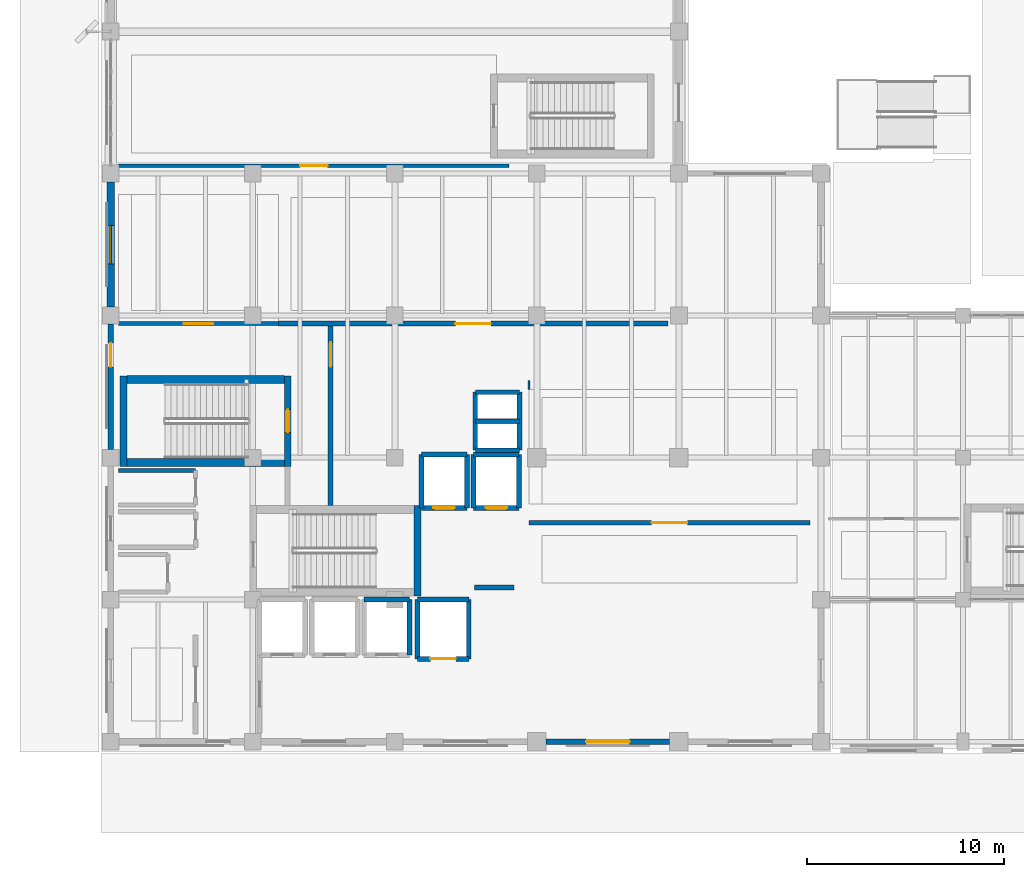
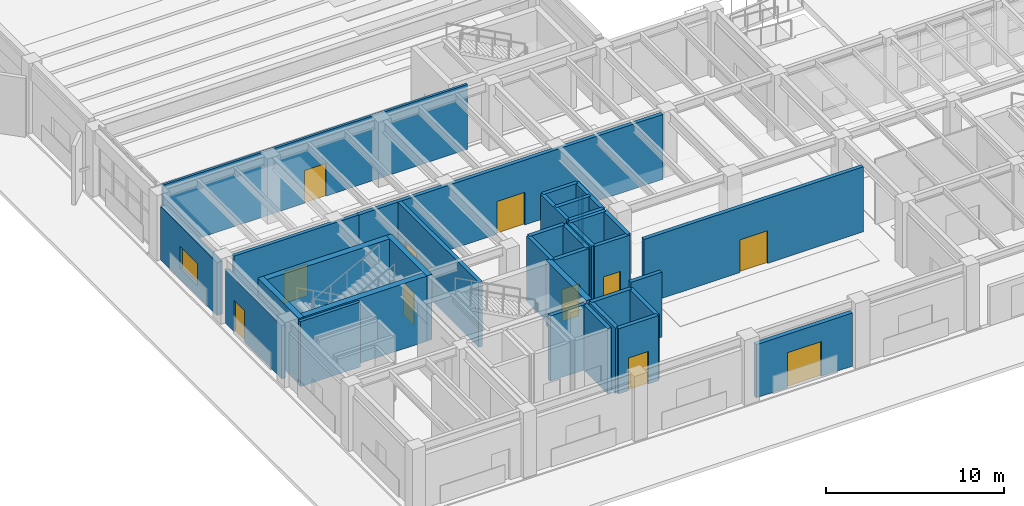
# One storey, part 24 of 39: 35 walls, 11 doors, 1 window, 12 openings.
"""IFC4 building model written with IfcOpenShell, lengths in metres."""

import ifcopenshell
import ifcopenshell.guid

model = None  # the IFC model being written
_history = None  # IfcOwnerHistory: only IFC2X3 demands one
_inside = {}  # id of a spatial element -> (the spatial element, [elements in it])
_under = {}  # id of a project, library or spatial element -> (it, [spatial elements below it])
_declared = {}  # id of a project -> (the project, [libraries it declares])
_typed = {}  # id of a type object -> (the type object, [elements of that type])
_made_of = {}  # id of a material, layer set ... -> (it, [elements and type objects made of it])


def new_model(schema):
    """Start an empty IFC model of exactly this schema.

    Asked for "IFC4X3", IfcOpenShell would pick the latest addendum, in which some entities
    have other attributes; the version numbers below select the first issue.
    IFC2X3 requires an IfcOwnerHistory on every rooted entity: one is made here for all.
    """
    global model, _history
    if schema == "IFC4X3":
        model = ifcopenshell.file(schema_version=(4, 3, 0, 0))
    else:
        model = ifcopenshell.file(schema=schema)
    _inside.clear()
    _under.clear()
    _declared.clear()
    _typed.clear()
    _made_of.clear()
    _history = None
    if model.schema == "IFC2X3":
        org = make("IfcOrganization", Name="unknown")
        user = make(
            "IfcPersonAndOrganization",
            ThePerson=make("IfcPerson", FamilyName="unknown"),
            TheOrganization=org,
        )
        app = make(
            "IfcApplication",
            ApplicationDeveloper=org,
            Version="unknown",
            ApplicationFullName="unknown",
            ApplicationIdentifier="unknown",
        )
        _history = make(
            "IfcOwnerHistory",
            OwningUser=user,
            OwningApplication=app,
            ChangeAction="ADDED",
            CreationDate=0,
        )
    return model


def make(cls, **values):
    """One entity of the class cls with the attributes given. An attribute that is None is left unset."""
    return model.create_entity(
        cls, **{name: value for name, value in values.items() if value is not None}
    )


def rooted(cls, **values):
    """An entity with a GlobalId (a new one), such as an element, a storey or a relation."""
    return make(cls, GlobalId=ifcopenshell.guid.new(), OwnerHistory=_history, **values)


def si_unit(unit_type, name, prefix=None):
    """IfcSIUnit, for example si_unit("LENGTHUNIT", "METRE", prefix="MILLI")."""
    return make("IfcSIUnit", UnitType=unit_type, Prefix=prefix, Name=name)


def assignment(units):
    """IfcUnitAssignment: the units of a project."""
    return None if units is None else make("IfcUnitAssignment", Units=units)


def point(xyz):
    """IfcCartesianPoint."""
    return None if xyz is None else make("IfcCartesianPoint", Coordinates=xyz)


def direction(xyz):
    """IfcDirection."""
    return None if xyz is None else make("IfcDirection", DirectionRatios=xyz)


def frame(location, z_axis=None, x_axis=None):
    """IfcAxis2Placement3D, a coordinate frame: its origin and axes. An axis left out is left unset."""
    return make(
        "IfcAxis2Placement3D",
        Location=point(location),
        Axis=direction(z_axis),
        RefDirection=direction(x_axis),
    )


def frame_2d(location, x_axis=None):
    """IfcAxis2Placement2D, a coordinate frame in the plane: its origin and x axis."""
    return make(
        "IfcAxis2Placement2D", Location=point(location), RefDirection=direction(x_axis)
    )


def origin():
    """The frame at (0, 0, 0) with its axes left unset."""
    return frame((0.0, 0.0, 0.0))


def place(relative_to, where):
    """IfcLocalPlacement: puts the frame where relative to a parent placement (None: the world)."""
    return make(
        "IfcLocalPlacement", PlacementRelTo=relative_to, RelativePlacement=where
    )


def context(
    kind, dimensions, precision=None, world=None, true_north=None, identifier=None
):
    """IfcGeometricRepresentationContext, for example the 3D "Model" context."""
    return make(
        "IfcGeometricRepresentationContext",
        ContextIdentifier=identifier,
        ContextType=kind,
        CoordinateSpaceDimension=dimensions,
        Precision=precision,
        WorldCoordinateSystem=world,
        TrueNorth=true_north,
    )


def subcontext(parent, identifier, kind, view, scale=None):
    """IfcGeometricRepresentationSubContext, for example "Body" below "Model"."""
    return make(
        "IfcGeometricRepresentationSubContext",
        ContextIdentifier=identifier,
        ContextType=kind,
        ParentContext=parent,
        TargetScale=scale,
        TargetView=view,
    )


def project(units=None, contexts=None):
    """IfcProject with its units and contexts."""
    return rooted(
        "IfcProject",
        Name="project",
        RepresentationContexts=contexts,
        UnitsInContext=assignment(units),
    )


def spatial(cls, under=None, at=None, **own):
    """A site, building, storey or space (cls), placed at a placement, below another one or the project."""
    s = rooted(cls, ObjectPlacement=at, **own)
    if under is not None:
        _under.setdefault(under.id(), (under, []))[1].append(s)
    return s


def profile(cls, at=None, kind="AREA", **sizes):
    """A parametric profile (cls). Its sizes go by their IFC names, for example OverallWidth=200.0."""
    return make(cls, ProfileType=kind, Position=at, **sizes)


def rectangle(**sizes):
    """IfcRectangleProfileDef."""
    return profile("IfcRectangleProfileDef", **sizes)


def extrude(swept, where, along, depth):
    """IfcExtrudedAreaSolid: the profile swept, set in the frame where, extruded along a direction by depth."""
    return make(
        "IfcExtrudedAreaSolid",
        SweptArea=swept,
        Position=where,
        ExtrudedDirection=direction(along),
        Depth=depth,
    )


def shape(context_of_items, identifier, shape_type, items):
    """IfcShapeRepresentation: the items that make up one representation, for example the "Body"."""
    return make(
        "IfcShapeRepresentation",
        ContextOfItems=context_of_items,
        RepresentationIdentifier=identifier,
        RepresentationType=shape_type,
        Items=items,
    )


def material(Name=None, Category=None):
    """IfcMaterial."""
    return make("IfcMaterial", Name=Name, Category=Category)


def layer(
    of_material, thickness, ventilated=None, Name=None, Category=None, Priority=None
):
    """IfcMaterialLayer: one layer of a wall or slab, of a material (None: an air gap)."""
    return make(
        "IfcMaterialLayer",
        Material=of_material,
        LayerThickness=thickness,
        IsVentilated=ventilated,
        Name=Name,
        Category=Category,
        Priority=Priority,
    )


def layer_set(layers, Name=None):
    """IfcMaterialLayerSet."""
    return make("IfcMaterialLayerSet", MaterialLayers=layers, LayerSetName=Name)


def made_of(thing, what):
    """Note that an element or type object is made of a material, layer set ...; save() writes the relation."""
    if what is not None:
        _made_of.setdefault(what.id(), (what, []))[1].append(thing)
    return thing


def type_object(cls, material=None, **own):
    """A type object (cls), such as IfcWallType, which elements share."""
    return made_of(rooted(cls, **own), material)


def element(
    cls,
    number,
    at=None,
    inside=None,
    cuts=None,
    type_object=None,
    material=None,
    context=None,
    identifier="Body",
    shape_type=None,
    held_by="IfcProductDefinitionShape",
    body=None,
    shapes=None,
    **own,
):
    """One element of the class cls, such as IfcWall. Its Tag is "e" and its number.

    at: its placement. inside: the storey or other place that contains it. cuts: it is an
    opening in that element (IfcRelVoidsElement). A single representation is given by context,
    identifier, shape_type and body (its items); several are given by shapes. held_by: the class
    of the entity that holds the representations. save() writes the other relations.
    """
    e = rooted(cls, Tag="e%d" % number, ObjectPlacement=at, **own)
    if body is not None:
        shapes = [shape(context, identifier, shape_type, body)]
    if shapes is not None:
        e.Representation = make(held_by, Representations=shapes)
    if inside is not None:
        _inside.setdefault(inside.id(), (inside, []))[1].append(e)
    if cuts is not None:
        rooted(
            "IfcRelVoidsElement", RelatingBuildingElement=cuts, RelatedOpeningElement=e
        )
    if type_object is not None:
        _typed.setdefault(type_object.id(), (type_object, []))[1].append(e)
    return made_of(e, material)


def fill(opening, filler):
    """IfcRelFillsElement: the door or window that sits in an opening."""
    return rooted(
        "IfcRelFillsElement",
        RelatingOpeningElement=opening,
        RelatedBuildingElement=filler,
    )


def aggregate(whole, parts):
    """IfcRelAggregates: a whole, such as a stair, and the parts it consists of."""
    return rooted("IfcRelAggregates", RelatingObject=whole, RelatedObjects=parts)


def save(model, path):
    """Write the relations noted so far, then the file.

    IfcRelAggregates (storeys below a building ...), IfcRelContainedInSpatialStructure (elements
    in a storey), IfcRelDefinesByType, IfcRelAssociatesMaterial and IfcRelDeclares: one each for
    every whole, place, type object, material and project.
    """
    for whole, parts in _under.values():
        aggregate(whole, parts)
    for where, things in _inside.values():
        rooted(
            "IfcRelContainedInSpatialStructure",
            RelatedElements=things,
            RelatingStructure=where,
        )
    for kind, things in _typed.values():
        rooted("IfcRelDefinesByType", RelatedObjects=things, RelatingType=kind)
    for what, things in _made_of.values():
        rooted("IfcRelAssociatesMaterial", RelatedObjects=things, RelatingMaterial=what)
    for by, libraries in _declared.values():
        rooted("IfcRelDeclares", RelatingContext=by, RelatedDefinitions=libraries)
    model.write(path)


model = new_model("IFC4")

# Units and contexts
model_context = context("Model", 3, precision=1e-05, world=origin(), true_north=direction((0.0, 1.0)))
body_context = subcontext(model_context, "Body", "Model", "MODEL_VIEW")
ifc_project = project(units=[si_unit("LENGTHUNIT", "METRE"), si_unit("AREAUNIT", "SQUARE_METRE"), si_unit("VOLUMEUNIT", "CUBIC_METRE"), si_unit("PLANEANGLEUNIT", "RADIAN"), si_unit("MASSUNIT", "GRAM", prefix="KILO")], contexts=[model_context])

# Site, building, storey
site_placement = place(None, origin())
site = spatial("IfcSite", under=ifc_project, at=site_placement, CompositionType="ELEMENT")
building_placement = place(site_placement, origin())
building = spatial("IfcBuilding", under=site, at=building_placement, Name="Kandorven Conservatory and Botanical Research Centre", CompositionType="ELEMENT")
storey_placement = place(building_placement, origin())
storey = spatial("IfcBuildingStorey", under=building, at=storey_placement, Name="L00", CompositionType="ELEMENT", Elevation=0.0)

# Walls
ifc_material_1 = material(Name="Concrete C40/50 (M50)", Category="concrete")
ifc_layer_1 = layer(ifc_material_1, 0.39990234375)
ifc_layer_set_1 = layer_set([ifc_layer_1], Name="Concrete C40/50 (M50)")
wall_type_1 = type_object("IfcWallType", Name="Wall_CW-RC-1", PredefinedType="SHEAR", material=ifc_layer_set_1)
for number, where, z_axis, x_axis, name in (
    (1, (14.800048828125, 24.35498046875, 0.0), (0.0, 0.0, 1.0), (-1.0, 0.0, 0.0), "Core stair shear wall CW-RC-1 ST-T2 L00 side A"),
    (2, (14.800048828125, 20.155029296875, 0.0), (0.0, 0.0, 1.0), (-1.0, 0.0, 0.0), "Core stair shear wall CW-RC-1 ST-T2 L00 side B"),
):
    element("IfcWall", number, at=place(storey_placement, frame(where, z_axis=z_axis, x_axis=x_axis)), inside=storey, type_object=wall_type_1, Name=name, PredefinedType="SHEAR", context=body_context, shape_type="SweptSolid", body=[
        extrude(rectangle(XDim=7.97998046875, YDim=0.39990234375, at=frame_2d((3.989990234375, 0.0))), origin(), (0.0, 0.0, 1.0), 4.47998046875),
    ])
ifc_material_2 = material(Name="Concrete C40/50 (M50)", Category="concrete")
ifc_layer_2 = layer(ifc_material_2, 0.35009765625)
ifc_layer_set_2 = layer_set([ifc_layer_2], Name="Concrete C40/50 (M50)")
wall_type_2 = type_object("IfcWallType", Name="Wall_CW-RC-2", PredefinedType="SHEAR", material=ifc_layer_set_2)
wall_1_placement = place(storey_placement, frame((21.554931640625, 13.3798828125, 0.0), z_axis=(0.0, 0.0, 1.0), x_axis=(0.0, 1.0, 0.0)))
element("IfcWall", 3, at=wall_1_placement, inside=storey, type_object=wall_type_2, Name="Core stair shear wall CW-RC-2 ST-T1 L00 far", PredefinedType="SHEAR", context=body_context, shape_type="SweptSolid", body=[
    extrude(rectangle(XDim=4.590087890625, YDim=0.35009765625, at=frame_2d((2.294921875, 0.0))), origin(), (0.0, 0.0, 1.0), 4.47998046875),
])

# Wall, opening, door
wall_2_placement = place(storey_placement, frame((14.97509765625, 24.550048828125, 0.0), z_axis=(0.0, 0.0, 1.0), x_axis=(0.0, -1.0, 0.0)))
wall_2 = element("IfcWall", 4, at=wall_2_placement, inside=storey, type_object=wall_type_2, Name="Core stair shear wall CW-RC-2 ST-T2 L00 entry", PredefinedType="SHEAR", context=body_context, shape_type="SweptSolid", body=[
    extrude(rectangle(XDim=4.590087890625, YDim=0.35009765625, at=frame_2d((2.294921875, 0.0))), origin(), (0.0, 0.0, 1.0), 4.47998046875),
])
opening_1_placement = place(wall_2_placement, frame((1.719970703125, 0.0, 0.0)))
opening_1 = element("IfcOpeningElement", 5, at=opening_1_placement, cuts=wall_2, Name="Opening FD-2", PredefinedType="OPENING", context=body_context, shape_type="SweptSolid", body=[
    extrude(rectangle(XDim=1.14990234375, YDim=2.199951171875, at=frame_2d((0.574951171875, 1.10009765625))), frame((0.0, 0.18505859375, 0.0), z_axis=(0.0, -1.0, 0.0), x_axis=(1.0, 0.0, 0.0)), (0.0, 0.0, 1.0), 0.3701171875),
])
ifc_material_3 = material(Name="Galvanised hollow steel fire door assembly", Category="steel")
door_type_1 = type_object("IfcDoorType", Name="Door_FD-2", OperationType="NOTDEFINED", PredefinedType="DOOR", material=ifc_material_3)
door_1_placement = place(opening_1_placement, origin())
door_1 = element("IfcDoor", 6, at=door_1_placement, inside=storey, type_object=door_type_1, Name="Exit stair fire door FD-2 ST-T2 L00", OperationType="SINGLE_SWING_LEFT", OverallHeight=2.199951171875, OverallWidth=1.14990234375, PredefinedType="DOOR", context=body_context, shape_type="SweptSolid", body=[
    extrude(rectangle(XDim=1.14990234375, YDim=2.199951171875, at=frame_2d((0.574951171875, 1.10009765625))), frame((0.0, 0.02490234375, 0.0), z_axis=(0.0, -1.0, 0.0), x_axis=(1.0, 0.0, 0.0)), (0.0, 0.0, 1.0), 0.050048828125),
])
fill(opening_1, door_1)

# Wall
wall_3_placement = place(storey_placement, frame((6.64501953125, 24.550048828125, 0.0), z_axis=(0.0, 0.0, 1.0), x_axis=(0.0, -1.0, 0.0)))
element("IfcWall", 7, at=wall_3_placement, inside=storey, type_object=wall_type_2, Name="Core stair shear wall CW-RC-2 ST-T2 L00 far", PredefinedType="SHEAR", context=body_context, shape_type="SweptSolid", body=[
    extrude(rectangle(XDim=4.590087890625, YDim=0.35009765625, at=frame_2d((2.294921875, 0.0))), origin(), (0.0, 0.0, 1.0), 4.47998046875),
])

# Wall, opening, door
wall_4_placement = place(storey_placement, frame((21.75, 17.85009765625, 0.0), z_axis=(0.0, 0.0, 1.0), x_axis=(1.0, 0.0, 0.0)))
wall_4 = element("IfcWall", 8, at=wall_4_placement, inside=storey, type_object=wall_type_2, Name="Lift shaft wall FFL-1 L00 S", PredefinedType="SHEAR", context=body_context, shape_type="SweptSolid", body=[
    extrude(rectangle(XDim=2.300048828125, YDim=0.25, at=frame_2d((1.14990234375, 0.0))), origin(), (0.0, 0.0, 1.0), 4.47998046875),
])
opening_2_placement = place(wall_4_placement, frame((0.60009765625, 0.0, 0.0)))
opening_2 = element("IfcOpeningElement", 9, at=opening_2_placement, cuts=wall_4, Name="Opening LD-01", PredefinedType="OPENING", context=body_context, shape_type="SweptSolid", body=[
    extrude(rectangle(XDim=1.10009765625, YDim=2.199951171875, at=frame_2d((0.550048828125, 1.10009765625))), frame((0.0, 0.135009765625, 0.0), z_axis=(0.0, -1.0, 0.0), x_axis=(1.0, 0.0, 0.0)), (0.0, 0.0, 1.0), 0.27001953125),
])
ifc_material_4 = material(Name="Anodised aluminium sliding landing door", Category="aluminium")
door_type_2 = type_object("IfcDoorType", Name="Door_LD-01", OperationType="DOUBLE_DOOR_SLIDING", PredefinedType="DOOR", material=ifc_material_4)
door_2_placement = place(opening_2_placement, origin())
door_2 = element("IfcDoor", 10, at=door_2_placement, inside=storey, type_object=door_type_2, Name="Lift landing sliding door LD-01 (FFL-1 L00)", OperationType="DOUBLE_DOOR_SLIDING", OverallHeight=2.199951171875, OverallWidth=1.10009765625, PredefinedType="DOOR", context=body_context, shape_type="SweptSolid", body=[
    extrude(rectangle(XDim=1.10009765625, YDim=2.199951171875, at=frame_2d((0.550048828125, 1.10009765625))), frame((0.0, 0.02490234375, 0.0), z_axis=(0.0, -1.0, 0.0), x_axis=(1.0, 0.0, 0.0)), (0.0, 0.0, 1.0), 0.050048828125),
])
fill(opening_2, door_2)

# Walls
wall_5_placement = place(storey_placement, frame((21.75, 20.550048828125, 0.0), z_axis=(0.0, 0.0, 1.0), x_axis=(1.0, 0.0, 0.0)))
element("IfcWall", 11, at=wall_5_placement, inside=storey, type_object=wall_type_2, Name="Lift shaft wall FFL-1 L00 N", PredefinedType="SHEAR", context=body_context, shape_type="SweptSolid", body=[
    extrude(rectangle(XDim=2.300048828125, YDim=0.25, at=frame_2d((1.14990234375, 0.0))), origin(), (0.0, 0.0, 1.0), 4.47998046875),
])
for number, where, z_axis, x_axis, name in (
    (12, (21.75, 17.85009765625, 0.0), (0.0, 0.0, 1.0), (0.0, 1.0, 0.0), "Lift shaft wall FFL-1 L00 W"),
    (13, (24.050048828125, 17.85009765625, 0.0), (0.0, 0.0, 1.0), (0.0, 1.0, 0.0), "Lift shaft wall FFL-1 L00 E"),
):
    element("IfcWall", number, at=place(storey_placement, frame(where, z_axis=z_axis, x_axis=x_axis)), inside=storey, type_object=wall_type_2, Name=name, PredefinedType="SHEAR", context=body_context, shape_type="SweptSolid", body=[
        extrude(rectangle(XDim=2.699951171875, YDim=0.25, at=frame_2d((1.35009765625, 0.0))), origin(), (0.0, 0.0, 1.0), 4.47998046875),
    ])

# Wall, opening, door
wall_6_placement = place(storey_placement, frame((24.39990234375, 17.85009765625, 0.0), z_axis=(0.0, 0.0, 1.0), x_axis=(1.0, 0.0, 0.0)))
wall_6 = element("IfcWall", 14, at=wall_6_placement, inside=storey, type_object=wall_type_2, Name="Lift shaft wall FFL-2 L00 S", PredefinedType="SHEAR", context=body_context, shape_type="SweptSolid", body=[
    extrude(rectangle(XDim=2.300048828125, YDim=0.25, at=frame_2d((1.14990234375, 0.0))), origin(), (0.0, 0.0, 1.0), 4.47998046875),
])
opening_3_placement = place(wall_6_placement, frame((0.60009765625, 0.0, 0.0)))
opening_3 = element("IfcOpeningElement", 15, at=opening_3_placement, cuts=wall_6, Name="Opening LD-01", PredefinedType="OPENING", context=body_context, shape_type="SweptSolid", body=[
    extrude(rectangle(XDim=1.10009765625, YDim=2.199951171875, at=frame_2d((0.550048828125, 1.10009765625))), frame((0.0, 0.135009765625, 0.0), z_axis=(0.0, -1.0, 0.0), x_axis=(1.0, 0.0, 0.0)), (0.0, 0.0, 1.0), 0.27001953125),
])
door_3_placement = place(opening_3_placement, origin())
door_3 = element("IfcDoor", 16, at=door_3_placement, inside=storey, type_object=door_type_2, Name="Lift landing sliding door LD-01 (FFL-2 L00)", OperationType="DOUBLE_DOOR_SLIDING", OverallHeight=2.199951171875, OverallWidth=1.10009765625, PredefinedType="DOOR", context=body_context, shape_type="SweptSolid", body=[
    extrude(rectangle(XDim=1.10009765625, YDim=2.199951171875, at=frame_2d((0.550048828125, 1.10009765625))), frame((0.0, 0.02490234375, 0.0), z_axis=(0.0, -1.0, 0.0), x_axis=(1.0, 0.0, 0.0)), (0.0, 0.0, 1.0), 0.050048828125),
])
fill(opening_3, door_3)

# Walls
wall_7_placement = place(storey_placement, frame((24.39990234375, 20.550048828125, 0.0), z_axis=(0.0, 0.0, 1.0), x_axis=(1.0, 0.0, 0.0)))
element("IfcWall", 17, at=wall_7_placement, inside=storey, type_object=wall_type_2, Name="Lift shaft wall FFL-2 L00 N", PredefinedType="SHEAR", context=body_context, shape_type="SweptSolid", body=[
    extrude(rectangle(XDim=2.300048828125, YDim=0.25, at=frame_2d((1.14990234375, 0.0))), origin(), (0.0, 0.0, 1.0), 4.47998046875),
])
for number, where, z_axis, x_axis, name in (
    (18, (24.39990234375, 17.85009765625, 0.0), (0.0, 0.0, 1.0), (0.0, 1.0, 0.0), "Lift shaft wall FFL-2 L00 W"),
    (19, (26.699951171875, 17.85009765625, 0.0), (0.0, 0.0, 1.0), (0.0, 1.0, 0.0), "Lift shaft wall FFL-2 L00 E"),
):
    element("IfcWall", number, at=place(storey_placement, frame(where, z_axis=z_axis, x_axis=x_axis)), inside=storey, type_object=wall_type_2, Name=name, PredefinedType="SHEAR", context=body_context, shape_type="SweptSolid", body=[
        extrude(rectangle(XDim=2.699951171875, YDim=0.25, at=frame_2d((1.35009765625, 0.0))), origin(), (0.0, 0.0, 1.0), 4.47998046875),
    ])
wall_8_placement = place(storey_placement, frame((18.85009765625, 13.199951171875, 0.0), z_axis=(0.0, 0.0, 1.0), x_axis=(1.0, 0.0, 0.0)))
element("IfcWall", 20, at=wall_8_placement, inside=storey, type_object=wall_type_2, Name="Lift shaft wall PL-3 L00 N", PredefinedType="SHEAR", context=body_context, shape_type="SweptSolid", body=[
    extrude(rectangle(XDim=2.2998046875, YDim=0.25, at=frame_2d((1.14990234375, 0.0))), origin(), (0.0, 0.0, 1.0), 4.47998046875),
])
wall_9_placement = place(storey_placement, frame((21.14990234375, 10.39990234375, 0.0), z_axis=(0.0, 0.0, 1.0), x_axis=(0.0, 1.0, 0.0)))
element("IfcWall", 21, at=wall_9_placement, inside=storey, type_object=wall_type_2, Name="Lift shaft wall PL-3 L00 E", PredefinedType="SHEAR", context=body_context, shape_type="SweptSolid", body=[
    extrude(rectangle(XDim=2.800048828125, YDim=0.25, at=frame_2d((1.39990234375, 0.0))), origin(), (0.0, 0.0, 1.0), 4.47998046875),
])

# Wall, opening, door
wall_10_placement = place(storey_placement, frame((21.550048828125, 10.199951171875, 0.0), z_axis=(0.0, 0.0, 1.0), x_axis=(1.0, 0.0, 0.0)))
wall_10 = element("IfcWall", 22, at=wall_10_placement, inside=storey, type_object=wall_type_2, Name="Lift shaft wall GL-1 L00 S", PredefinedType="SHEAR", context=body_context, shape_type="SweptSolid", body=[
    extrude(rectangle(XDim=2.599853515625, YDim=0.25, at=frame_2d((1.2998046875, 0.0))), origin(), (0.0, 0.0, 1.0), 4.47998046875),
])
opening_4_placement = place(wall_10_placement, frame((0.64990234375, 0.0, 0.0)))
opening_4 = element("IfcOpeningElement", 23, at=opening_4_placement, cuts=wall_10, Name="Opening LD-02", PredefinedType="OPENING", context=body_context, shape_type="SweptSolid", body=[
    extrude(rectangle(XDim=1.300048828125, YDim=2.25, at=frame_2d((0.64990234375, 1.125))), frame((0.0, 0.135009765625, 0.0), z_axis=(0.0, -1.0, 0.0), x_axis=(1.0, 0.0, 0.0)), (0.0, 0.0, 1.0), 0.27001953125),
])
ifc_material_5 = material(Name="Anodised aluminium sliding landing door", Category="aluminium")
door_type_3 = type_object("IfcDoorType", Name="Door_LD-02", OperationType="DOUBLE_DOOR_SLIDING", PredefinedType="DOOR", material=ifc_material_5)
door_4_placement = place(opening_4_placement, origin())
door_4 = element("IfcDoor", 24, at=door_4_placement, inside=storey, type_object=door_type_3, Name="Lift landing sliding door LD-02 (GL-1 L00)", OperationType="DOUBLE_DOOR_SLIDING", OverallHeight=2.25, OverallWidth=1.300048828125, PredefinedType="DOOR", context=body_context, shape_type="SweptSolid", body=[
    extrude(rectangle(XDim=1.300048828125, YDim=2.25, at=frame_2d((0.64990234375, 1.125))), frame((0.0, 0.02490234375, 0.0), z_axis=(0.0, -1.0, 0.0), x_axis=(1.0, 0.0, 0.0)), (0.0, 0.0, 1.0), 0.050048828125),
])
fill(opening_4, door_4)

# Walls
wall_11_placement = place(storey_placement, frame((21.550048828125, 13.199951171875, 0.0), z_axis=(0.0, 0.0, 1.0), x_axis=(1.0, 0.0, 0.0)))
element("IfcWall", 25, at=wall_11_placement, inside=storey, type_object=wall_type_2, Name="Lift shaft wall GL-1 L00 N", PredefinedType="SHEAR", context=body_context, shape_type="SweptSolid", body=[
    extrude(rectangle(XDim=2.599853515625, YDim=0.25, at=frame_2d((1.2998046875, 0.0))), origin(), (0.0, 0.0, 1.0), 4.47998046875),
])
for number, where, z_axis, x_axis, name in (
    (26, (21.550048828125, 10.199951171875, 0.0), (0.0, 0.0, 1.0), (0.0, 1.0, 0.0), "Lift shaft wall GL-1 L00 W"),
    (27, (24.14990234375, 10.199951171875, 0.0), (0.0, 0.0, 1.0), (0.0, 1.0, 0.0), "Lift shaft wall GL-1 L00 E"),
):
    element("IfcWall", number, at=place(storey_placement, frame(where, z_axis=z_axis, x_axis=x_axis)), inside=storey, type_object=wall_type_2, Name=name, PredefinedType="SHEAR", context=body_context, shape_type="SweptSolid", body=[
        extrude(rectangle(XDim=3.0, YDim=0.25, at=frame_2d((1.5, 0.0))), origin(), (0.0, 0.0, 1.0), 4.47998046875),
    ])
for number, where, z_axis, x_axis, name in (
    (28, (24.47998046875, 20.780029296875, 0.0), (0.0, 0.0, 1.0), (1.0, 0.0, 0.0), "Core MEP riser shaft wall CW-RC-2 L00 S"),
    (29, (24.47998046875, 22.25, 0.0), (0.0, 0.0, 1.0), (1.0, 0.0, 0.0), "Core MEP riser shaft wall CW-RC-2 L00 M"),
    (30, (24.47998046875, 23.719970703125, 0.0), (0.0, 0.0, 1.0), (1.0, 0.0, 0.0), "Core MEP riser shaft wall CW-RC-2 L00 N"),
):
    element("IfcWall", number, at=place(storey_placement, frame(where, z_axis=z_axis, x_axis=x_axis)), inside=storey, type_object=wall_type_2, Name=name, PredefinedType="SHEAR", context=body_context, shape_type="SweptSolid", body=[
        extrude(rectangle(XDim=2.239990234375, YDim=0.239990234375, at=frame_2d((1.1201171875, 0.0))), origin(), (0.0, 0.0, 1.0), 4.47998046875),
    ])
for number, where, z_axis, x_axis, name in (
    (31, (24.47998046875, 20.780029296875, 0.0), (0.0, 0.0, 1.0), (0.0, 1.0, 0.0), "Core MEP riser shaft wall CW-RC-2 L00 W"),
    (32, (26.719970703125, 20.780029296875, 0.0), (0.0, 0.0, 1.0), (0.0, 1.0, 0.0), "Core MEP riser shaft wall CW-RC-2 L00 E"),
):
    element("IfcWall", number, at=place(storey_placement, frame(where, z_axis=z_axis, x_axis=x_axis)), inside=storey, type_object=wall_type_2, Name=name, PredefinedType="SHEAR", context=body_context, shape_type="SweptSolid", body=[
        extrude(rectangle(XDim=2.93994140625, YDim=0.239990234375, at=frame_2d((1.469970703125, 0.0))), origin(), (0.0, 0.0, 1.0), 4.47998046875),
    ])

# Wall, opening, window
ifc_material_6 = material(Name="Concrete C40/50 (M50)", Category="concrete")
ifc_layer_3 = layer(ifc_material_6, 0.360107421875)
ifc_layer_set_3 = layer_set([ifc_layer_3], Name="Concrete C40/50 (M50)")
wall_type_3 = type_object("IfcWallType", Name="Wall_EW-01", PredefinedType="STANDARD", material=ifc_layer_set_3)
wall_12_placement = place(storey_placement, frame((6.0, 28.02490234375, 0.0), z_axis=(0.0, 0.0, 1.0), x_axis=(0.0, 1.0, 0.0)))
wall_12 = element("IfcWall", 33, at=wall_12_placement, inside=storey, type_object=wall_type_3, Name="Tower concrete facade wall EW-01 W L00", PredefinedType="STANDARD", context=body_context, shape_type="SweptSolid", body=[
    extrude(rectangle(XDim=6.35009765625, YDim=0.360107421875, at=frame_2d((3.175048828125, 0.0))), origin(), (0.0, 0.0, 1.0), 3.659912109375),
])
opening_5_placement = place(wall_12_placement, frame((2.199951171875, 0.0, 0.75)))
opening_5 = element("IfcOpeningElement", 34, at=opening_5_placement, cuts=wall_12, Name="Opening W-42", PredefinedType="OPENING", context=body_context, shape_type="SweptSolid", body=[
    extrude(rectangle(XDim=1.949951171875, YDim=1.5, at=frame_2d((0.97509765625, 0.75))), frame((0.0, 0.18994140625, 0.0), z_axis=(0.0, -1.0, 0.0), x_axis=(1.0, 0.0, 0.0)), (0.0, 0.0, 1.0), 0.380126953125),
])
ifc_material_7 = material(Name="Double-glazed solar-control low-E glass", Category="glass")
window_type = type_object("IfcWindowType", Name="Win_W-42", PartitioningType="DOUBLE_PANEL_VERTICAL", PredefinedType="WINDOW", material=ifc_material_7)
window_placement = place(opening_5_placement, origin())
window = element("IfcWindow", 35, at=window_placement, inside=storey, type_object=window_type, Name="Tower recessed solar window W-42", OverallHeight=1.5, OverallWidth=1.949951171875, PartitioningType="SINGLE_PANEL", PredefinedType="WINDOW", context=body_context, shape_type="SweptSolid", body=[
    extrude(rectangle(XDim=1.949951171875, YDim=1.5, at=frame_2d((0.97509765625, 0.75))), frame((0.0, 0.030029296875, 0.0), z_axis=(0.0, -1.0, 0.0), x_axis=(1.0, 0.0, 0.0)), (0.0, 0.0, 1.0), 0.06005859375),
])
fill(opening_5, window)

# Wall, opening, door
ifc_material_8 = material(Name="Concrete C32/40 (M40)", Category="concrete")
ifc_layer_4 = layer(ifc_material_8, 0.280029296875)
ifc_layer_set_4 = layer_set([ifc_layer_4], Name="Concrete C32/40 (M40)")
wall_type_4 = type_object("IfcWallType", Name="Wall_EW-05", PredefinedType="STANDARD", material=ifc_layer_set_4)
wall_13_placement = place(storey_placement, frame((28.074951171875, 6.0, 0.0), z_axis=(0.0, 0.0, 1.0), x_axis=(1.0, 0.0, 0.0)))
wall_13 = element("IfcWall", 36, at=wall_13_placement, inside=storey, type_object=wall_type_4, Name="Tower concrete facade wall EW-05 S L00", PredefinedType="STANDARD", context=body_context, shape_type="SweptSolid", body=[
    extrude(rectangle(XDim=6.25, YDim=0.280029296875, at=frame_2d((3.125, 0.0))), origin(), (0.0, 0.0, 1.0), 3.659912109375),
])
opening_6_placement = place(wall_13_placement, frame((2.02490234375, 0.0, 0.0)))
opening_6 = element("IfcOpeningElement", 37, at=opening_6_placement, cuts=wall_13, Name="Opening ED-01", PredefinedType="OPENING", context=body_context, shape_type="SweptSolid", body=[
    extrude(rectangle(XDim=2.199951171875, YDim=2.39990234375, at=frame_2d((1.10009765625, 1.199951171875))), frame((0.0, 0.14990234375, 0.0), z_axis=(0.0, -1.0, 0.0), x_axis=(1.0, 0.0, 0.0)), (0.0, 0.0, 1.0), 0.300048828125),
])
ifc_material_9 = material(Name="Bronze anodised thermally broken aluminium", Category="aluminium")
door_type_4 = type_object("IfcDoorType", Name="Door_ED-01", OperationType="NOTDEFINED", PredefinedType="DOOR", material=ifc_material_9)
door_5_placement = place(opening_6_placement, frame((2.199951171875, 0.0, 0.0), z_axis=(0.0, 0.0, 1.0), x_axis=(-1.0, 0.0, 0.0)))
door_5 = element("IfcDoor", 38, at=door_5_placement, inside=storey, type_object=door_type_4, Name="Tower boulevard final exit door ED-01", OperationType="DOUBLE_DOOR_SINGLE_SWING", OverallHeight=2.39990234375, OverallWidth=2.199951171875, PredefinedType="DOOR", context=body_context, shape_type="SweptSolid", body=[
    extrude(rectangle(XDim=2.199951171875, YDim=2.39990234375, at=frame_2d((1.10009765625, 1.199951171875))), frame((0.0, 0.02490234375, 0.0), z_axis=(0.0, -1.0, 0.0), x_axis=(1.0, 0.0, 0.0)), (0.0, 0.0, 1.0), 0.050048828125),
])
fill(opening_6, door_5)

ifc_material_10 = material(Name="Concrete C32/40 (M40)", Category="concrete")
ifc_layer_5 = layer(ifc_material_10, 0.260009765625)
ifc_layer_set_5 = layer_set([ifc_layer_5], Name="Concrete C32/40 (M40)")
wall_type_5 = type_object("IfcWallType", Name="Wall_EW-06", PredefinedType="STANDARD", material=ifc_layer_set_5)
wall_14_placement = place(storey_placement, frame((6.0, 20.824951171875, 0.0), z_axis=(0.0, 0.0, 1.0), x_axis=(0.0, 1.0, 0.0)))
wall_14 = element("IfcWall", 39, at=wall_14_placement, inside=storey, type_object=wall_type_5, Name="Tower concrete facade wall EW-06 W L00", PredefinedType="STANDARD", context=body_context, shape_type="SweptSolid", body=[
    extrude(rectangle(XDim=6.35009765625, YDim=0.260009765625, at=frame_2d((3.175048828125, 0.0))), origin(), (0.0, 0.0, 1.0), 3.659912109375),
])
opening_7_placement = place(wall_14_placement, frame((4.175048828125, 0.0, 0.0)))
opening_7 = element("IfcOpeningElement", 40, at=opening_7_placement, cuts=wall_14, Name="Opening ED-08", PredefinedType="OPENING", context=body_context, shape_type="SweptSolid", body=[
    extrude(rectangle(XDim=1.199951171875, YDim=2.14990234375, at=frame_2d((0.60009765625, 1.074951171875))), frame((0.0, 0.139892578125, 0.0), z_axis=(0.0, -1.0, 0.0), x_axis=(1.0, 0.0, 0.0)), (0.0, 0.0, 1.0), 0.280029296875),
])
ifc_material_11 = material(Name="Bronze anodised thermally broken aluminium", Category="aluminium")
door_type_5 = type_object("IfcDoorType", Name="Door_ED-08", OperationType="NOTDEFINED", PredefinedType="DOOR", material=ifc_material_11)
door_6_placement = place(opening_7_placement, origin())
door_6 = element("IfcDoor", 41, at=door_6_placement, inside=storey, type_object=door_type_5, Name="Final exit door ED-08 from Protected Exit Passage ST-T2", OperationType="SINGLE_SWING_RIGHT", OverallHeight=2.14990234375, OverallWidth=1.199951171875, PredefinedType="DOOR", context=body_context, shape_type="SweptSolid", body=[
    extrude(rectangle(XDim=1.199951171875, YDim=2.14990234375, at=frame_2d((0.60009765625, 1.074951171875))), frame((0.0, 0.02490234375, 0.0), z_axis=(0.0, -1.0, 0.0), x_axis=(1.0, 0.0, 0.0)), (0.0, 0.0, 1.0), 0.050048828125),
])
fill(opening_7, door_6)

# Wall
ifc_material_12 = material(Name="Fire-rated acoustic gypsum board partition", Category="gypsum")
ifc_layer_6 = layer(ifc_material_12, 0.1201171875)
ifc_layer_set_6 = layer_set([ifc_layer_6], Name="Fire-rated acoustic gypsum board partition")
wall_type_6 = type_object("IfcWallType", Name="Wall_IW-08", PredefinedType="PARTITIONING", material=ifc_layer_set_6)
wall_15_placement = place(storey_placement, frame((27.199951171875, 24.300048828125, 0.0), z_axis=(0.0, 0.0, 1.0), x_axis=(0.0, -1.0, 0.0)))
element("IfcWall", 42, at=wall_15_placement, inside=storey, type_object=wall_type_6, Name="Interior partition wall IW-08 (Botanical Taxonomy Reception and Specimen Intake)", PredefinedType="PARTITIONING", context=body_context, shape_type="SweptSolid", body=[
    extrude(rectangle(XDim=0.449951171875, YDim=0.1201171875, at=frame_2d((0.22509765625, 0.0))), origin(), (0.0, 0.0, 1.0), 3.4599609375),
])

# Wall, opening, door
ifc_material_13 = material(Name="Autoclaved aerated concrete blockwork masonry", Category="masonry")
ifc_layer_7 = layer(ifc_material_13, 0.157958984375)
ifc_layer_set_7 = layer_set([ifc_layer_7], Name="Autoclaved aerated concrete blockwork masonry")
wall_type_7 = type_object("IfcWallType", Name="Wall_IW-16", PredefinedType="PARTITIONING", material=ifc_layer_set_7)
wall_16_placement = place(storey_placement, frame((6.39990234375, 35.199951171875, 0.0), z_axis=(0.0, 0.0, 1.0), x_axis=(1.0, 0.0, 0.0)))
wall_16 = element("IfcWall", 43, at=wall_16_placement, inside=storey, type_object=wall_type_7, Name="Interior partition wall IW-16 (Auditorium Acoustic Foyer)", PredefinedType="PARTITIONING", context=body_context, shape_type="SweptSolid", body=[
    extrude(rectangle(XDim=19.800048828125, YDim=0.157958984375, at=frame_2d((9.89990234375, 0.0))), origin(), (0.0, 0.0, 1.0), 4.4599609375),
])
opening_8_placement = place(wall_16_placement, frame((9.199951171875, 0.0, 0.0)))
opening_8 = element("IfcOpeningElement", 44, at=opening_8_placement, cuts=wall_16, Name="Opening D-07", PredefinedType="OPENING", context=body_context, shape_type="SweptSolid", body=[
    extrude(rectangle(XDim=1.39990234375, YDim=2.25, at=frame_2d((0.699951171875, 1.125))), frame((0.0, 0.0888671875, 0.0), z_axis=(0.0, -1.0, 0.0), x_axis=(1.0, 0.0, 0.0)), (0.0, 0.0, 1.0), 0.177978515625),
])
ifc_material_14 = material(Name="Solid core acoustic teak-veneered timber leaf", Category="wood")
door_type_6 = type_object("IfcDoorType", Name="Door_D-07", OperationType="NOTDEFINED", PredefinedType="DOOR", material=ifc_material_14)
door_7_placement = place(opening_8_placement, origin())
door_7 = element("IfcDoor", 45, at=door_7_placement, inside=storey, type_object=door_type_6, Name="Interior door D-07 to Auditorium Acoustic Foyer", OperationType="SINGLE_SWING_LEFT", OverallHeight=2.25, OverallWidth=1.39990234375, PredefinedType="DOOR", context=body_context, shape_type="SweptSolid", body=[
    extrude(rectangle(XDim=1.39990234375, YDim=2.25, at=frame_2d((0.699951171875, 1.125))), frame((0.0, 0.02490234375, 0.0), z_axis=(0.0, -1.0, 0.0), x_axis=(1.0, 0.0, 0.0)), (0.0, 0.0, 1.0), 0.050048828125),
])
fill(opening_8, door_7)

# Wall
ifc_material_15 = material(Name="Concrete C32/40 (M40)", Category="concrete")
ifc_layer_8 = layer(ifc_material_15, 0.25)
ifc_layer_set_8 = layer_set([ifc_layer_8], Name="Concrete C32/40 (M40)")
wall_type_8 = type_object("IfcWallType", Name="Wall_IW-FR-1", PredefinedType="SOLIDWALL", material=ifc_layer_set_8)
wall_17_placement = place(storey_placement, frame((24.449951171875, 13.820068359375, 0.0), z_axis=(0.0, 0.0, 1.0), x_axis=(1.0, 0.0, 0.0)))
element("IfcWall", 46, at=wall_17_placement, inside=storey, type_object=wall_type_8, Name="Interior fire partition wall IW-FR-1 (Firefighting Lift Lobby L00)", PredefinedType="SOLIDWALL", context=body_context, shape_type="SweptSolid", body=[
    extrude(rectangle(XDim=2.0, YDim=0.25, at=frame_2d((1.0, 0.0))), origin(), (0.0, 0.0, 1.0), 4.4599609375),
])

# Wall, opening, door
wall_18_placement = place(storey_placement, frame((14.5, 27.199951171875, 0.0), z_axis=(0.0, 0.0, 1.0), x_axis=(1.0, 0.0, 0.0)))
wall_18 = element("IfcWall", 47, at=wall_18_placement, inside=storey, type_object=wall_type_8, Name="Interior fire partition wall IW-FR-1 (Herbarium Goods Receiving and Loading Bay)", PredefinedType="SOLIDWALL", context=body_context, shape_type="SweptSolid", body=[
    extrude(rectangle(XDim=19.75, YDim=0.25, at=frame_2d((9.875, 0.0))), origin(), (0.0, 0.0, 1.0), 4.4599609375),
])
opening_9_placement = place(wall_18_placement, frame((8.97509765625, 0.0, 0.0)))
opening_9 = element("IfcOpeningElement", 48, at=opening_9_placement, cuts=wall_18, Name="Opening FD-4", PredefinedType="OPENING", context=body_context, shape_type="SweptSolid", body=[
    extrude(rectangle(XDim=1.800048828125, YDim=2.25, at=frame_2d((0.89990234375, 1.125))), frame((0.0, 0.135009765625, 0.0), z_axis=(0.0, -1.0, 0.0), x_axis=(1.0, 0.0, 0.0)), (0.0, 0.0, 1.0), 0.27001953125),
])
ifc_material_16 = material(Name="Galvanised hollow steel fire door assembly", Category="steel")
door_type_7 = type_object("IfcDoorType", Name="Door_FD-4", OperationType="NOTDEFINED", PredefinedType="DOOR", material=ifc_material_16)
door_8_placement = place(opening_9_placement, frame((1.800048828125, 0.0, 0.0), z_axis=(0.0, 0.0, 1.0), x_axis=(-1.0, 0.0, 0.0)))
door_8 = element("IfcDoor", 49, at=door_8_placement, inside=storey, type_object=door_type_7, Name="Interior door FD-4 to Herbarium Goods Receiving and Loading Bay", OperationType="DOUBLE_DOOR_SINGLE_SWING", OverallHeight=2.25, OverallWidth=1.800048828125, PredefinedType="DOOR", context=body_context, shape_type="SweptSolid", body=[
    extrude(rectangle(XDim=1.800048828125, YDim=2.25, at=frame_2d((0.89990234375, 1.125))), frame((0.0, 0.02490234375, 0.0), z_axis=(0.0, -1.0, 0.0), x_axis=(1.0, 0.0, 0.0)), (0.0, 0.0, 1.0), 0.050048828125),
])
fill(opening_9, door_8)

wall_19_placement = place(storey_placement, frame((27.199951171875, 17.10009765625, 0.0), z_axis=(0.0, 0.0, 1.0), x_axis=(1.0, 0.0, 0.0)))
wall_19 = element("IfcWall", 50, at=wall_19_placement, inside=storey, type_object=wall_type_8, Name="Interior fire partition wall IW-FR-1 (Herbarium Mounting and Drying Room)", PredefinedType="SOLIDWALL", context=body_context, shape_type="SweptSolid", body=[
    extrude(rectangle(XDim=14.25, YDim=0.25, at=frame_2d((7.125, 0.0))), origin(), (0.0, 0.0, 1.0), 4.4599609375),
])
opening_10_placement = place(wall_19_placement, frame((6.22509765625, 0.0, 0.0)))
opening_10 = element("IfcOpeningElement", 51, at=opening_10_placement, cuts=wall_19, Name="Opening FD-4", PredefinedType="OPENING", context=body_context, shape_type="SweptSolid", body=[
    extrude(rectangle(XDim=1.800048828125, YDim=2.25, at=frame_2d((0.89990234375, 1.125))), frame((0.0, 0.135009765625, 0.0), z_axis=(0.0, -1.0, 0.0), x_axis=(1.0, 0.0, 0.0)), (0.0, 0.0, 1.0), 0.27001953125),
])
door_9_placement = place(opening_10_placement, frame((1.800048828125, 0.0, 0.0), z_axis=(0.0, 0.0, 1.0), x_axis=(-1.0, 0.0, 0.0)))
door_9 = element("IfcDoor", 52, at=door_9_placement, inside=storey, type_object=door_type_7, Name="Interior door FD-4 to Herbarium Mounting and Drying Room", OperationType="DOUBLE_DOOR_SINGLE_SWING", OverallHeight=2.25, OverallWidth=1.800048828125, PredefinedType="DOOR", context=body_context, shape_type="SweptSolid", body=[
    extrude(rectangle(XDim=1.800048828125, YDim=2.25, at=frame_2d((0.89990234375, 1.125))), frame((0.0, 0.02490234375, 0.0), z_axis=(0.0, -1.0, 0.0), x_axis=(1.0, 0.0, 0.0)), (0.0, 0.0, 1.0), 0.050048828125),
])
fill(opening_10, door_9)

wall_20_placement = place(storey_placement, frame((17.14990234375, 17.969970703125, 0.0), z_axis=(0.0, 0.0, 1.0), x_axis=(0.0, 1.0, 0.0)))
wall_20 = element("IfcWall", 53, at=wall_20_placement, inside=storey, type_object=wall_type_8, Name="Protected exit passage ST-T2 fire wall IW-FR-1 E", PredefinedType="SOLIDWALL", context=body_context, shape_type="SweptSolid", body=[
    extrude(rectangle(XDim=9.10498046875, YDim=0.25, at=frame_2d((4.552490234375, 0.0))), origin(), (0.0, 0.0, 1.0), 4.4599609375),
])
opening_11_placement = place(wall_20_placement, frame((7.030029296875, 0.0, 0.0)))
opening_11 = element("IfcOpeningElement", 54, at=opening_11_placement, cuts=wall_20, Name="Opening FD-1", PredefinedType="OPENING", context=body_context, shape_type="SweptSolid", body=[
    extrude(rectangle(XDim=1.25, YDim=2.199951171875, at=frame_2d((0.625, 1.10009765625))), frame((0.0, 0.135009765625, 0.0), z_axis=(0.0, -1.0, 0.0), x_axis=(1.0, 0.0, 0.0)), (0.0, 0.0, 1.0), 0.27001953125),
])
ifc_material_17 = material(Name="Galvanised hollow steel fire door assembly", Category="steel")
door_type_8 = type_object("IfcDoorType", Name="Door_FD-1", OperationType="NOTDEFINED", PredefinedType="DOOR", material=ifc_material_17)
door_10_placement = place(opening_11_placement, origin())
door_10 = element("IfcDoor", 55, at=door_10_placement, inside=storey, type_object=door_type_8, Name="Protected exit passage ST-T2 fire door FD-1", OperationType="SINGLE_SWING_RIGHT", OverallHeight=2.199951171875, OverallWidth=1.25, PredefinedType="DOOR", context=body_context, shape_type="SweptSolid", body=[
    extrude(rectangle(XDim=1.25, YDim=2.199951171875, at=frame_2d((0.625, 1.10009765625))), frame((0.0, 0.02490234375, 0.0), z_axis=(0.0, -1.0, 0.0), x_axis=(1.0, 0.0, 0.0)), (0.0, 0.0, 1.0), 0.050048828125),
])
fill(opening_11, door_10)

ifc_material_18 = material(Name="Concrete C32/40 (M40)", Category="concrete")
ifc_layer_9 = layer(ifc_material_18, 0.22509765625)
ifc_layer_set_9 = layer_set([ifc_layer_9], Name="Concrete C32/40 (M40)")
wall_type_9 = type_object("IfcWallType", Name="Wall_IW-FR-2", PredefinedType="SOLIDWALL", material=ifc_layer_set_9)
wall_21_placement = place(storey_placement, frame((6.39990234375, 27.199951171875, 0.0), z_axis=(0.0, 0.0, 1.0), x_axis=(1.0, 0.0, 0.0)))
wall_21 = element("IfcWall", 56, at=wall_21_placement, inside=storey, type_object=wall_type_9, Name="Interior fire partition wall IW-FR-2 (Botanical Field Specimen Quarantine Laboratory)", PredefinedType="SOLIDWALL", context=body_context, shape_type="SweptSolid", body=[
    extrude(rectangle(XDim=8.10009765625, YDim=0.22509765625, at=frame_2d((4.050048828125, 0.0))), origin(), (0.0, 0.0, 1.0), 4.4599609375),
])
opening_12_placement = place(wall_21_placement, frame((3.300048828125, 0.0, 0.0)))
opening_12 = element("IfcOpeningElement", 57, at=opening_12_placement, cuts=wall_21, Name="Opening FD-3", PredefinedType="OPENING", context=body_context, shape_type="SweptSolid", body=[
    extrude(rectangle(XDim=1.5, YDim=2.199951171875, at=frame_2d((0.75, 1.10009765625))), frame((0.0, 0.12255859375, 0.0), z_axis=(0.0, -1.0, 0.0), x_axis=(1.0, 0.0, 0.0)), (0.0, 0.0, 1.0), 0.2451171875),
])
ifc_material_19 = material(Name="Galvanised hollow steel fire door assembly", Category="steel")
door_type_9 = type_object("IfcDoorType", Name="Door_FD-3", OperationType="NOTDEFINED", PredefinedType="DOOR", material=ifc_material_19)
door_11_placement = place(opening_12_placement, origin())
door_11 = element("IfcDoor", 58, at=door_11_placement, inside=storey, type_object=door_type_9, Name="Interior door FD-3 to Botanical Field Specimen Quarantine Laboratory", OperationType="SINGLE_SWING_LEFT", OverallHeight=2.199951171875, OverallWidth=1.5, PredefinedType="DOOR", context=body_context, shape_type="SweptSolid", body=[
    extrude(rectangle(XDim=1.5, YDim=2.199951171875, at=frame_2d((0.75, 1.10009765625))), frame((0.0, 0.02490234375, 0.0), z_axis=(0.0, -1.0, 0.0), x_axis=(1.0, 0.0, 0.0)), (0.0, 0.0, 1.0), 0.050048828125),
])
fill(opening_12, door_11)

# Wall
ifc_material_20 = material(Name="Autoclaved aerated concrete blockwork masonry", Category="masonry")
ifc_layer_10 = layer(ifc_material_20, 0.205078125)
ifc_layer_set_10 = layer_set([ifc_layer_10], Name="Autoclaved aerated concrete blockwork masonry")
wall_type_10 = type_object("IfcWallType", Name="Wall_PW-PL-2", PredefinedType="PLUMBINGWALL", material=ifc_layer_set_10)
wall_22_placement = place(storey_placement, frame((6.39990234375, 19.75, 0.0), z_axis=(0.0, 0.0, 1.0), x_axis=(1.0, 0.0, 0.0)))
element("IfcWall", 59, at=wall_22_placement, inside=storey, type_object=wall_type_10, Name="Sanitary enclosure wall PW-PL-2 (Public Male WC L00 N)", PredefinedType="PLUMBINGWALL", context=body_context, shape_type="SweptSolid", body=[
    extrude(rectangle(XDim=3.900146484375, YDim=0.205078125, at=frame_2d((1.9501953125, 0.0))), origin(), (0.0, 0.0, 1.0), 4.4599609375),
])

save(model, "model.ifc")
